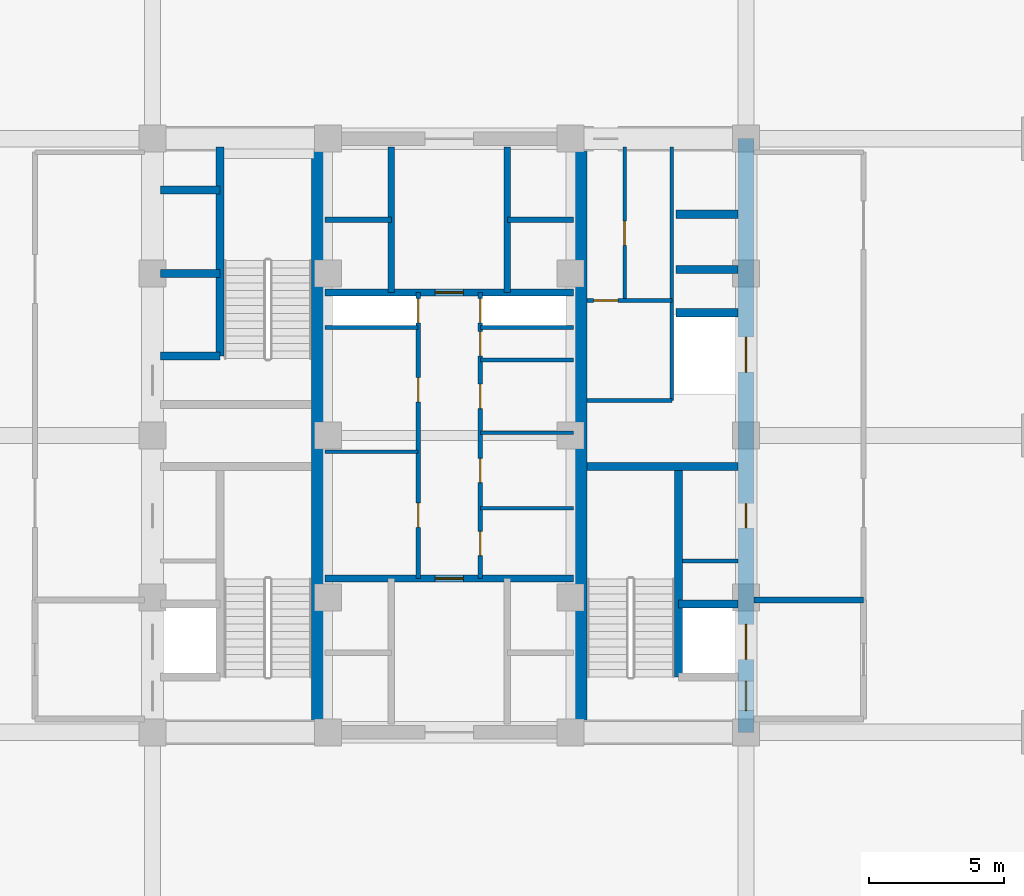
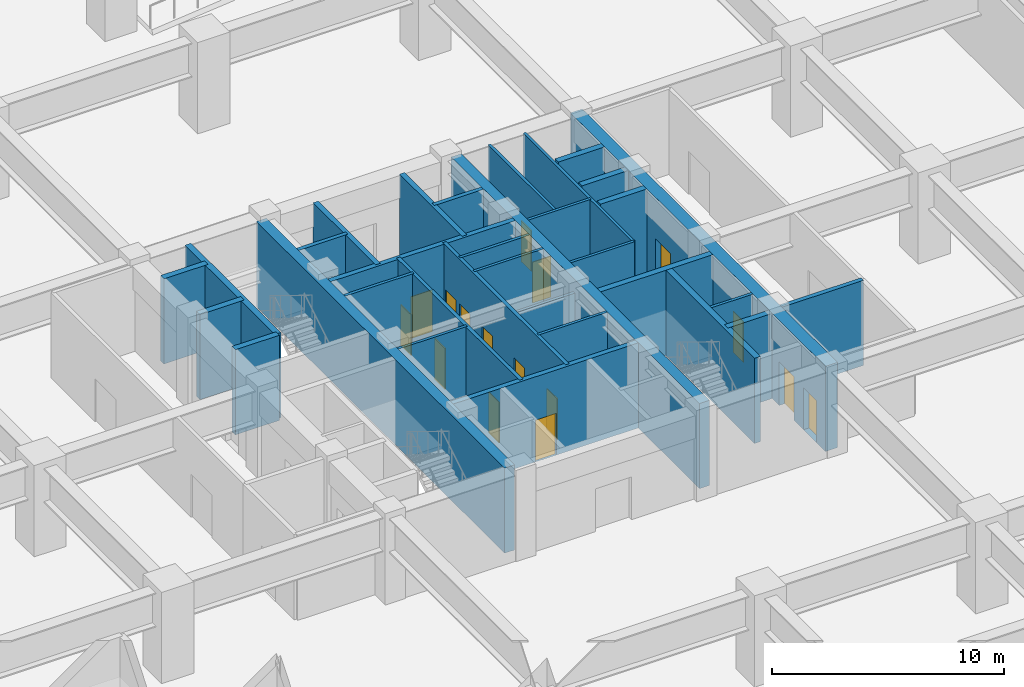
# One storey, part 6 of 13: 33 walls, 16 doors, 16 openings.
"""IFC4 building model written with IfcOpenShell, lengths in metres."""

import ifcopenshell
import ifcopenshell.guid

model = None  # the IFC model being written
_history = None  # IfcOwnerHistory: only IFC2X3 demands one
_inside = {}  # id of a spatial element -> (the spatial element, [elements in it])
_under = {}  # id of a project, library or spatial element -> (it, [spatial elements below it])
_declared = {}  # id of a project -> (the project, [libraries it declares])
_typed = {}  # id of a type object -> (the type object, [elements of that type])
_made_of = {}  # id of a material, layer set ... -> (it, [elements and type objects made of it])


def new_model(schema):
    """Start an empty IFC model of exactly this schema.

    Asked for "IFC4X3", IfcOpenShell would pick the latest addendum, in which some entities
    have other attributes; the version numbers below select the first issue.
    IFC2X3 requires an IfcOwnerHistory on every rooted entity: one is made here for all.
    """
    global model, _history
    if schema == "IFC4X3":
        model = ifcopenshell.file(schema_version=(4, 3, 0, 0))
    else:
        model = ifcopenshell.file(schema=schema)
    _inside.clear()
    _under.clear()
    _declared.clear()
    _typed.clear()
    _made_of.clear()
    _history = None
    if model.schema == "IFC2X3":
        org = make("IfcOrganization", Name="unknown")
        user = make(
            "IfcPersonAndOrganization",
            ThePerson=make("IfcPerson", FamilyName="unknown"),
            TheOrganization=org,
        )
        app = make(
            "IfcApplication",
            ApplicationDeveloper=org,
            Version="unknown",
            ApplicationFullName="unknown",
            ApplicationIdentifier="unknown",
        )
        _history = make(
            "IfcOwnerHistory",
            OwningUser=user,
            OwningApplication=app,
            ChangeAction="ADDED",
            CreationDate=0,
        )
    return model


def make(cls, **values):
    """One entity of the class cls with the attributes given. An attribute that is None is left unset."""
    return model.create_entity(
        cls, **{name: value for name, value in values.items() if value is not None}
    )


def rooted(cls, **values):
    """An entity with a GlobalId (a new one), such as an element, a storey or a relation."""
    return make(cls, GlobalId=ifcopenshell.guid.new(), OwnerHistory=_history, **values)


def si_unit(unit_type, name, prefix=None):
    """IfcSIUnit, for example si_unit("LENGTHUNIT", "METRE", prefix="MILLI")."""
    return make("IfcSIUnit", UnitType=unit_type, Prefix=prefix, Name=name)


def assignment(units):
    """IfcUnitAssignment: the units of a project."""
    return None if units is None else make("IfcUnitAssignment", Units=units)


def point(xyz):
    """IfcCartesianPoint."""
    return None if xyz is None else make("IfcCartesianPoint", Coordinates=xyz)


def direction(xyz):
    """IfcDirection."""
    return None if xyz is None else make("IfcDirection", DirectionRatios=xyz)


def frame(location, z_axis=None, x_axis=None):
    """IfcAxis2Placement3D, a coordinate frame: its origin and axes. An axis left out is left unset."""
    return make(
        "IfcAxis2Placement3D",
        Location=point(location),
        Axis=direction(z_axis),
        RefDirection=direction(x_axis),
    )


def frame_2d(location, x_axis=None):
    """IfcAxis2Placement2D, a coordinate frame in the plane: its origin and x axis."""
    return make(
        "IfcAxis2Placement2D", Location=point(location), RefDirection=direction(x_axis)
    )


def origin():
    """The frame at (0, 0, 0) with its axes left unset."""
    return frame((0.0, 0.0, 0.0))


def place(relative_to, where):
    """IfcLocalPlacement: puts the frame where relative to a parent placement (None: the world)."""
    return make(
        "IfcLocalPlacement", PlacementRelTo=relative_to, RelativePlacement=where
    )


def context(
    kind, dimensions, precision=None, world=None, true_north=None, identifier=None
):
    """IfcGeometricRepresentationContext, for example the 3D "Model" context."""
    return make(
        "IfcGeometricRepresentationContext",
        ContextIdentifier=identifier,
        ContextType=kind,
        CoordinateSpaceDimension=dimensions,
        Precision=precision,
        WorldCoordinateSystem=world,
        TrueNorth=true_north,
    )


def subcontext(parent, identifier, kind, view, scale=None):
    """IfcGeometricRepresentationSubContext, for example "Body" below "Model"."""
    return make(
        "IfcGeometricRepresentationSubContext",
        ContextIdentifier=identifier,
        ContextType=kind,
        ParentContext=parent,
        TargetScale=scale,
        TargetView=view,
    )


def project(units=None, contexts=None):
    """IfcProject with its units and contexts."""
    return rooted(
        "IfcProject",
        Name="project",
        RepresentationContexts=contexts,
        UnitsInContext=assignment(units),
    )


def spatial(cls, under=None, at=None, **own):
    """A site, building, storey or space (cls), placed at a placement, below another one or the project."""
    s = rooted(cls, ObjectPlacement=at, **own)
    if under is not None:
        _under.setdefault(under.id(), (under, []))[1].append(s)
    return s


def profile(cls, at=None, kind="AREA", **sizes):
    """A parametric profile (cls). Its sizes go by their IFC names, for example OverallWidth=200.0."""
    return make(cls, ProfileType=kind, Position=at, **sizes)


def rectangle(**sizes):
    """IfcRectangleProfileDef."""
    return profile("IfcRectangleProfileDef", **sizes)


def extrude(swept, where, along, depth):
    """IfcExtrudedAreaSolid: the profile swept, set in the frame where, extruded along a direction by depth."""
    return make(
        "IfcExtrudedAreaSolid",
        SweptArea=swept,
        Position=where,
        ExtrudedDirection=direction(along),
        Depth=depth,
    )


def shape(context_of_items, identifier, shape_type, items):
    """IfcShapeRepresentation: the items that make up one representation, for example the "Body"."""
    return make(
        "IfcShapeRepresentation",
        ContextOfItems=context_of_items,
        RepresentationIdentifier=identifier,
        RepresentationType=shape_type,
        Items=items,
    )


def source(mapping_origin, context_of_items, identifier, shape_type, items):
    """IfcRepresentationMap: a shape defined once, which mapped items show again and again."""
    return make(
        "IfcRepresentationMap",
        MappingOrigin=mapping_origin,
        MappedRepresentation=shape(context_of_items, identifier, shape_type, items),
    )


def transform(
    local_origin,
    x_axis=None,
    y_axis=None,
    z_axis=None,
    scale=None,
    scale2=None,
    scale3=None,
    uniform=True,
):
    """IfcCartesianTransformationOperator3D, or its non-uniform kind. x_axis, y_axis, z_axis: its Axis1, 2, 3."""
    if uniform:
        return make(
            "IfcCartesianTransformationOperator3D",
            Axis1=direction(x_axis),
            Axis2=direction(y_axis),
            LocalOrigin=point(local_origin),
            Scale=scale,
            Axis3=direction(z_axis),
        )
    return make(
        "IfcCartesianTransformationOperator3DnonUniform",
        Axis1=direction(x_axis),
        Axis2=direction(y_axis),
        LocalOrigin=point(local_origin),
        Scale=scale,
        Axis3=direction(z_axis),
        Scale2=scale2,
        Scale3=scale3,
    )


def mapped(mapping_source, mapping_target):
    """IfcMappedItem: shows the shape of a source again, moved by a transform."""
    return make(
        "IfcMappedItem", MappingSource=mapping_source, MappingTarget=mapping_target
    )


def material(Name=None, Category=None):
    """IfcMaterial."""
    return make("IfcMaterial", Name=Name, Category=Category)


def layer(
    of_material, thickness, ventilated=None, Name=None, Category=None, Priority=None
):
    """IfcMaterialLayer: one layer of a wall or slab, of a material (None: an air gap)."""
    return make(
        "IfcMaterialLayer",
        Material=of_material,
        LayerThickness=thickness,
        IsVentilated=ventilated,
        Name=Name,
        Category=Category,
        Priority=Priority,
    )


def layer_set(layers, Name=None):
    """IfcMaterialLayerSet."""
    return make("IfcMaterialLayerSet", MaterialLayers=layers, LayerSetName=Name)


def made_of(thing, what):
    """Note that an element or type object is made of a material, layer set ...; save() writes the relation."""
    if what is not None:
        _made_of.setdefault(what.id(), (what, []))[1].append(thing)
    return thing


def type_object(cls, material=None, **own):
    """A type object (cls), such as IfcWallType, which elements share."""
    return made_of(rooted(cls, **own), material)


def element(
    cls,
    number,
    at=None,
    inside=None,
    cuts=None,
    type_object=None,
    material=None,
    context=None,
    identifier="Body",
    shape_type=None,
    held_by="IfcProductDefinitionShape",
    body=None,
    shapes=None,
    **own,
):
    """One element of the class cls, such as IfcWall. Its Tag is "e" and its number.

    at: its placement. inside: the storey or other place that contains it. cuts: it is an
    opening in that element (IfcRelVoidsElement). A single representation is given by context,
    identifier, shape_type and body (its items); several are given by shapes. held_by: the class
    of the entity that holds the representations. save() writes the other relations.
    """
    e = rooted(cls, Tag="e%d" % number, ObjectPlacement=at, **own)
    if body is not None:
        shapes = [shape(context, identifier, shape_type, body)]
    if shapes is not None:
        e.Representation = make(held_by, Representations=shapes)
    if inside is not None:
        _inside.setdefault(inside.id(), (inside, []))[1].append(e)
    if cuts is not None:
        rooted(
            "IfcRelVoidsElement", RelatingBuildingElement=cuts, RelatedOpeningElement=e
        )
    if type_object is not None:
        _typed.setdefault(type_object.id(), (type_object, []))[1].append(e)
    return made_of(e, material)


def fill(opening, filler):
    """IfcRelFillsElement: the door or window that sits in an opening."""
    return rooted(
        "IfcRelFillsElement",
        RelatingOpeningElement=opening,
        RelatedBuildingElement=filler,
    )


def aggregate(whole, parts):
    """IfcRelAggregates: a whole, such as a stair, and the parts it consists of."""
    return rooted("IfcRelAggregates", RelatingObject=whole, RelatedObjects=parts)


def save(model, path):
    """Write the relations noted so far, then the file.

    IfcRelAggregates (storeys below a building ...), IfcRelContainedInSpatialStructure (elements
    in a storey), IfcRelDefinesByType, IfcRelAssociatesMaterial and IfcRelDeclares: one each for
    every whole, place, type object, material and project.
    """
    for whole, parts in _under.values():
        aggregate(whole, parts)
    for where, things in _inside.values():
        rooted(
            "IfcRelContainedInSpatialStructure",
            RelatedElements=things,
            RelatingStructure=where,
        )
    for kind, things in _typed.values():
        rooted("IfcRelDefinesByType", RelatedObjects=things, RelatingType=kind)
    for what, things in _made_of.values():
        rooted("IfcRelAssociatesMaterial", RelatedObjects=things, RelatingMaterial=what)
    for by, libraries in _declared.values():
        rooted("IfcRelDeclares", RelatingContext=by, RelatedDefinitions=libraries)
    model.write(path)


model = new_model("IFC4")

# Units and contexts
model_context = context("Model", 3, precision=1e-05, world=origin(), true_north=direction((0.0, 1.0)))
body_context = subcontext(model_context, "Body", "Model", "MODEL_VIEW")
ifc_project = project(units=[si_unit("LENGTHUNIT", "METRE"), si_unit("AREAUNIT", "SQUARE_METRE"), si_unit("VOLUMEUNIT", "CUBIC_METRE"), si_unit("PLANEANGLEUNIT", "RADIAN"), si_unit("MASSUNIT", "GRAM", prefix="KILO")], contexts=[model_context])

# Site, building, storey
site_placement = place(None, origin())
site = spatial("IfcSite", under=ifc_project, at=site_placement, CompositionType="ELEMENT")
building_placement = place(site_placement, origin())
building = spatial("IfcBuilding", under=site, at=building_placement, Name="Khorayat Bourse Tower", CompositionType="ELEMENT")
storey_placement = place(building_placement, frame((0.0, 0.0, -4.800048828125)))
storey = spatial("IfcBuildingStorey", under=building, at=storey_placement, Name="B01", CompositionType="ELEMENT", Elevation=-4.800048828125)

# Wall, openings, doors
ifc_material_1 = material(Name="Concrete C60/75", Category="concrete")
ifc_layer_1 = layer(ifc_material_1, 0.60009765625)
ifc_layer_set_1 = layer_set([ifc_layer_1], Name="Concrete C60/75")
wall_type_1 = type_object("IfcWallType", Name="WAL-CORE-600", PredefinedType="SHEAR", material=ifc_layer_set_1)
shared_shape_1 = source(origin(), body_context, "Body", "SweptSolid", [
    extrude(rectangle(XDim=22.0, YDim=0.60009765625, at=frame_2d((11.0, 0.0))), origin(), (0.0, 0.0, 1.0), 4.47998046875),
])
wall_1_placement = place(storey_placement, frame((11.0, -11.0, 0.0), z_axis=(0.0, 0.0, 1.0), x_axis=(0.0, 1.0, 0.0)))
wall_1 = element("IfcWall", 1, at=wall_1_placement, inside=storey, type_object=wall_type_1, Name="B01 Core Shear Wall CORE-E", PredefinedType="SHEAR", context=body_context, shape_type="MappedRepresentation", body=[
    mapped(shared_shape_1, transform((0.0, 0.0, 0.0), scale=1.0)),
])
shared_shape_2 = source(origin(), body_context, "Body", "SweptSolid", [
    extrude(rectangle(XDim=1.10009765625, YDim=2.199951171875, at=frame_2d((0.550048828125, 1.10009765625))), frame((0.0, 0.31005859375, 0.0), z_axis=(0.0, -1.0, 0.0), x_axis=(1.0, 0.0, 0.0)), (0.0, 0.0, 1.0), 0.6201171875),
])
opening_1_placement = place(wall_1_placement, frame((0.800048828125, 0.0, 0.0)))
opening_1 = element("IfcOpeningElement", 2, at=opening_1_placement, cuts=wall_1, Name="Opening DI-01", PredefinedType="OPENING", context=body_context, shape_type="MappedRepresentation", body=[
    mapped(shared_shape_2, transform((0.0, 0.0, 0.0), scale=1.0)),
])
shared_shape_3 = source(origin(), body_context, "Body", "SweptSolid", [
    extrude(rectangle(XDim=0.89990234375, YDim=2.14990234375, at=frame_2d((0.449951171875, 1.074951171875))), frame((0.0, 0.31005859375, 0.0), z_axis=(0.0, -1.0, 0.0), x_axis=(1.0, 0.0, 0.0)), (0.0, 0.0, 1.0), 0.6201171875),
])
opening_2_placement = place(wall_1_placement, frame((7.574951171875, 0.0, 0.0)))
opening_2 = element("IfcOpeningElement", 3, at=opening_2_placement, cuts=wall_1, Name="Opening DI-06", PredefinedType="OPENING", context=body_context, shape_type="MappedRepresentation", body=[
    mapped(shared_shape_3, transform((0.0, 0.0, 0.0), scale=1.0)),
])
shared_shape_4 = source(origin(), body_context, "Body", "SweptSolid", [
    extrude(rectangle(XDim=1.300048828125, YDim=2.300048828125, at=frame_2d((0.64990234375, 1.14990234375))), frame((0.0, 0.31005859375, 0.0), z_axis=(0.0, -1.0, 0.0), x_axis=(1.0, 0.0, 0.0)), (0.0, 0.0, 1.0), 0.6201171875),
])
opening_3_placement = place(wall_1_placement, frame((2.699951171875, 0.0, 0.0)))
opening_3 = element("IfcOpeningElement", 4, at=opening_3_placement, cuts=wall_1, Name="Opening LD-02", PredefinedType="OPENING", context=body_context, shape_type="MappedRepresentation", body=[
    mapped(shared_shape_4, transform((0.0, 0.0, 0.0), scale=1.0)),
])
opening_4_placement = place(wall_1_placement, frame((13.35009765625, 0.0, 0.0)))
opening_4 = element("IfcOpeningElement", 5, at=opening_4_placement, cuts=wall_1, Name="Opening LD-02", PredefinedType="OPENING", context=body_context, shape_type="MappedRepresentation", body=[
    mapped(shared_shape_4, transform((0.0, 0.0, 0.0), scale=1.0)),
])
ifc_material_2 = material(Name="Fire-rated steel acoustic leaf", Category="steel")
door_type_1 = type_object("IfcDoorType", Name="DR-INT-STAIR-1100", OperationType="NOTDEFINED", PredefinedType="DOOR", material=ifc_material_2)
shared_shape_5 = source(origin(), body_context, "Body", "SweptSolid", [
    extrude(rectangle(XDim=1.10009765625, YDim=2.199951171875, at=frame_2d((0.550048828125, 1.10009765625))), frame((0.0, 0.02490234375, 0.0), z_axis=(0.0, -1.0, 0.0), x_axis=(1.0, 0.0, 0.0)), (0.0, 0.0, 1.0), 0.050048828125),
])
door_1_placement = place(opening_1_placement, origin())
door_1 = element("IfcDoor", 6, at=door_1_placement, inside=storey, type_object=door_type_1, Name="B01 Exit Stair 3 Door", OperationType="SINGLE_SWING_LEFT", OverallHeight=2.199951171875, OverallWidth=1.10009765625, PredefinedType="DOOR", context=body_context, shape_type="MappedRepresentation", body=[
    mapped(shared_shape_5, transform((0.0, 0.0, 0.0), scale=1.0)),
])
fill(opening_1, door_1)
ifc_material_3 = material(Name="Moisture-resistant laminate washroom door")
door_type_2 = type_object("IfcDoorType", Name="DR-INT-WC-900", OperationType="NOTDEFINED", PredefinedType="DOOR", material=ifc_material_3)
shared_shape_6 = source(origin(), body_context, "Body", "SweptSolid", [
    extrude(rectangle(XDim=0.89990234375, YDim=2.14990234375, at=frame_2d((0.449951171875, 1.074951171875))), frame((0.0, 0.02490234375, 0.0), z_axis=(0.0, -1.0, 0.0), x_axis=(1.0, 0.0, 0.0)), (0.0, 0.0, 1.0), 0.050048828125),
])
door_2_placement = place(opening_2_placement, origin())
door_2 = element("IfcDoor", 7, at=door_2_placement, inside=storey, type_object=door_type_2, Name="B01 Fiber Server Plant Room Door", OperationType="SINGLE_SWING_LEFT", OverallHeight=2.14990234375, OverallWidth=0.89990234375, PredefinedType="DOOR", context=body_context, shape_type="MappedRepresentation", body=[
    mapped(shared_shape_6, transform((0.0, 0.0, 0.0), scale=1.0)),
])
fill(opening_2, door_2)
ifc_material_4 = material(Name="Fire-rated stainless-steel sliding landing door", Category="steel")
door_type_3 = type_object("IfcDoorType", Name="DR-LIFT-FF-1300", OperationType="NOTDEFINED", PredefinedType="DOOR", material=ifc_material_4)
shared_shape_7 = source(origin(), body_context, "Body", "SweptSolid", [
    extrude(rectangle(XDim=1.300048828125, YDim=2.300048828125, at=frame_2d((0.64990234375, 1.14990234375))), frame((0.0, 0.02490234375, 0.0), z_axis=(0.0, -1.0, 0.0), x_axis=(1.0, 0.0, 0.0)), (0.0, 0.0, 1.0), 0.050048828125),
])
door_3_placement = place(opening_3_placement, origin())
door_3 = element("IfcDoor", 8, at=door_3_placement, inside=storey, type_object=door_type_3, Name="B01 Lift FFL-02 Sliding Landing Door", OperationType="SLIDING_TO_LEFT", OverallHeight=2.300048828125, OverallWidth=1.300048828125, PredefinedType="DOOR", context=body_context, shape_type="MappedRepresentation", body=[
    mapped(shared_shape_7, transform((0.0, 0.0, 0.0), scale=1.0)),
])
fill(opening_3, door_3)
door_4_placement = place(opening_4_placement, origin())
door_4 = element("IfcDoor", 9, at=door_4_placement, inside=storey, type_object=door_type_3, Name="B01 Lift SVL-01 Sliding Landing Door", OperationType="SLIDING_TO_LEFT", OverallHeight=2.300048828125, OverallWidth=1.300048828125, PredefinedType="DOOR", context=body_context, shape_type="MappedRepresentation", body=[
    mapped(shared_shape_7, transform((0.0, 0.0, 0.0), scale=1.0)),
])
fill(opening_4, door_4)

# Walls
ifc_material_5 = material(Name="Concrete C52/65", Category="concrete")
ifc_layer_2 = layer(ifc_material_5, 0.5)
ifc_layer_set_2 = layer_set([ifc_layer_2], Name="Concrete C52/65")
wall_type_2 = type_object("IfcWallType", Name="WAL-CORE-500", PredefinedType="SHEAR", material=ifc_layer_set_2)
shared_shape_8 = source(origin(), body_context, "Body", "SweptSolid", [
    extrude(rectangle(XDim=21.39990234375, YDim=0.5, at=frame_2d((10.699951171875, 0.0))), origin(), (0.0, 0.0, 1.0), 4.47998046875),
])
for number, where, z_axis, x_axis, name in (
    (10, (-4.85009765625, -10.699951171875, 0.0), (0.0, 0.0, 1.0), (0.0, 1.0, 0.0), "B01 Core Shear Wall PIER-W"),
    (11, (4.85009765625, -10.699951171875, 0.0), (0.0, 0.0, 1.0), (0.0, 1.0, 0.0), "B01 Core Shear Wall PIER-E"),
):
    element("IfcWall", number, at=place(storey_placement, frame(where, z_axis=z_axis, x_axis=x_axis)), inside=storey, type_object=wall_type_2, Name=name, PredefinedType="SHEAR", context=body_context, shape_type="MappedRepresentation", body=[
        mapped(shared_shape_8, transform((0.0, 0.0, 0.0), scale=1.0)),
    ])
ifc_material_6 = material(Name="Concrete C50/60", Category="concrete")
ifc_layer_3 = layer(ifc_material_6, 0.300048828125)
ifc_layer_set_3 = layer_set([ifc_layer_3], Name="Concrete C50/60")
wall_type_3 = type_object("IfcWallType", Name="WAL-SHAFT-300", PredefinedType="SHEAR", material=ifc_layer_set_3)
shared_shape_9 = source(origin(), body_context, "Body", "SweptSolid", [
    extrude(rectangle(XDim=5.599853515625, YDim=0.300048828125, at=frame_2d((2.7998046875, 0.0))), origin(), (0.0, 0.0, 1.0), 4.47998046875),
])
wall_2_placement = place(storey_placement, frame((5.10009765625, -1.14990234375, 0.0), z_axis=(0.0, 0.0, 1.0), x_axis=(1.0, 0.0, 0.0)))
element("IfcWall", 12, at=wall_2_placement, inside=storey, type_object=wall_type_3, Name="B01 Core Shear Wall ST3-DIV", PredefinedType="SHEAR", context=body_context, shape_type="MappedRepresentation", body=[
    mapped(shared_shape_9, transform((0.0, 0.0, 0.0), scale=1.0)),
])
shared_shape_10 = source(origin(), body_context, "Body", "SweptSolid", [
    extrude(rectangle(XDim=7.800048828125, YDim=0.300048828125, at=frame_2d((3.89990234375, 0.0))), origin(), (0.0, 0.0, 1.0), 4.47998046875),
])
wall_3_placement = place(storey_placement, frame((8.5, -8.949951171875, 0.0), z_axis=(0.0, 0.0, 1.0), x_axis=(0.0, 1.0, 0.0)))
element("IfcWall", 13, at=wall_3_placement, inside=storey, type_object=wall_type_3, Name="B01 Partition WAL-B01-EPIER-SP", PredefinedType="SHEAR", context=body_context, shape_type="MappedRepresentation", body=[
    mapped(shared_shape_10, transform((0.0, 0.0, 0.0), scale=1.0)),
])
shared_shape_11 = source(origin(), body_context, "Body", "SweptSolid", [
    extrude(rectangle(XDim=2.199951171875, YDim=0.300048828125, at=frame_2d((1.10009765625, 0.0))), origin(), (0.0, 0.0, 1.0), 4.47998046875),
])
for number, where, z_axis, x_axis, name in (
    (14, (-10.699951171875, 2.949951171875, 0.0), (0.0, 0.0, 1.0), (1.0, 0.0, 0.0), "B01 Partition WAL-B01-WPIER-H1S"),
    (15, (-10.699951171875, 6.0, 0.0), (0.0, 0.0, 1.0), (1.0, 0.0, 0.0), "B01 Partition WAL-B01-WPIER-H12"),
    (16, (-10.699951171875, 9.10009765625, 0.0), (0.0, 0.0, 1.0), (1.0, 0.0, 0.0), "B01 Partition WAL-B01-WPIER-H2N"),
    (17, (8.5, -6.25, 0.0), (0.0, 0.0, 1.0), (1.0, 0.0, 0.0), "B01 Partition WAL-B01-EPIER-FF2N"),
):
    element("IfcWall", number, at=place(storey_placement, frame(where, z_axis=z_axis, x_axis=x_axis)), inside=storey, type_object=wall_type_3, Name=name, PredefinedType="SHEAR", context=body_context, shape_type="MappedRepresentation", body=[
        mapped(shared_shape_11, transform((0.0, 0.0, 0.0), scale=1.0)),
    ])
shared_shape_12 = source(origin(), body_context, "Body", "SweptSolid", [
    extrude(rectangle(XDim=7.75, YDim=0.300048828125, at=frame_2d((3.875, 0.0))), origin(), (0.0, 0.0, 1.0), 4.47998046875),
])
wall_4_placement = place(storey_placement, frame((-8.5, 2.949951171875, 0.0), z_axis=(0.0, 0.0, 1.0), x_axis=(0.0, 1.0, 0.0)))
element("IfcWall", 18, at=wall_4_placement, inside=storey, type_object=wall_type_3, Name="B01 Partition WAL-B01-WPIER-ST2S", PredefinedType="SHEAR", context=body_context, shape_type="MappedRepresentation", body=[
    mapped(shared_shape_12, transform((0.0, 0.0, 0.0), scale=1.0)),
])
shared_shape_13 = source(origin(), body_context, "Body", "SweptSolid", [
    extrude(rectangle(XDim=2.300048828125, YDim=0.300048828125, at=frame_2d((1.14990234375, 0.0))), origin(), (0.0, 0.0, 1.0), 4.47998046875),
])
for number, where, z_axis, x_axis, name in (
    (19, (8.39990234375, 4.550048828125, 0.0), (0.0, 0.0, 1.0), (1.0, 0.0, 0.0), "B01 Partition WAL-B01-EPIER-SVLN"),
    (20, (8.39990234375, 6.14990234375, 0.0), (0.0, 0.0, 1.0), (1.0, 0.0, 0.0), "B01 Partition WAL-B01-EPIER-H3S"),
    (21, (8.39990234375, 8.199951171875, 0.0), (0.0, 0.0, 1.0), (1.0, 0.0, 0.0), "B01 Partition WAL-B01-EPIER-H34"),
):
    element("IfcWall", number, at=place(storey_placement, frame(where, z_axis=z_axis, x_axis=x_axis)), inside=storey, type_object=wall_type_3, Name=name, PredefinedType="SHEAR", context=body_context, shape_type="MappedRepresentation", body=[
        mapped(shared_shape_13, transform((0.0, 0.0, 0.0), scale=1.0)),
    ])
ifc_material_7 = material(Name="Gypsum plasterboard twin-frame partition")
ifc_layer_4 = layer(ifc_material_7, 0.14990234375)
ifc_layer_set_4 = layer_set([ifc_layer_4], Name="Gypsum plasterboard twin-frame partition")
wall_type_4 = type_object("IfcWallType", Name="WAL-PART-SUITE-150", PredefinedType="PARTITIONING", material=ifc_layer_set_4)
shared_shape_14 = source(origin(), body_context, "Body", "SweptSolid", [
    extrude(rectangle(XDim=2.050048828125, YDim=0.14990234375, at=frame_2d((1.02490234375, 0.0))), origin(), (0.0, 0.0, 1.0), 4.47998046875),
])
wall_5_placement = place(storey_placement, frame((8.64990234375, -4.64990234375, 0.0), z_axis=(0.0, 0.0, 1.0), x_axis=(1.0, 0.0, 0.0)))
element("IfcWall", 22, at=wall_5_placement, inside=storey, type_object=wall_type_4, Name="B01 Partition WAL-B01-ESRV-S0", PredefinedType="PARTITIONING", context=body_context, shape_type="MappedRepresentation", body=[
    mapped(shared_shape_14, transform((0.0, 0.0, 0.0), scale=1.0)),
])
ifc_material_8 = material(Name="Moisture-resistant masonry partition", Category="masonry")
ifc_layer_5 = layer(ifc_material_8, 0.139892578125)
ifc_layer_set_5 = layer_set([ifc_layer_5], Name="Moisture-resistant masonry partition")
wall_type_5 = type_object("IfcWallType", Name="WAL-PART-WET-140", PredefinedType="PARTITIONING", material=ifc_layer_set_5)
shared_shape_15 = source(origin(), body_context, "Body", "SweptSolid", [
    extrude(rectangle(XDim=9.39990234375, YDim=0.139892578125, at=frame_2d((4.699951171875, 0.0))), origin(), (0.0, 0.0, 1.0), 4.47998046875),
])
wall_6_placement = place(storey_placement, frame((8.25, 1.300048828125, 0.0), z_axis=(0.0, 0.0, 1.0), x_axis=(0.0, 1.0, 0.0)))
element("IfcWall", 23, at=wall_6_placement, inside=storey, type_object=wall_type_5, Name="B01 Partition WAL-B01-ECORE-E", PredefinedType="PARTITIONING", context=body_context, shape_type="MappedRepresentation", body=[
    mapped(shared_shape_15, transform((0.0, 0.0, 0.0), scale=1.0)),
])
shared_shape_16 = source(origin(), body_context, "Body", "SweptSolid", [
    extrude(rectangle(XDim=3.14990234375, YDim=0.139892578125, at=frame_2d((1.574951171875, 0.0))), origin(), (0.0, 0.0, 1.0), 4.47998046875),
])
wall_7_placement = place(storey_placement, frame((5.10009765625, 1.300048828125, 0.0), z_axis=(0.0, 0.0, 1.0), x_axis=(1.0, 0.0, 0.0)))
element("IfcWall", 24, at=wall_7_placement, inside=storey, type_object=wall_type_5, Name="B01 Partition WAL-B01-ECORE-S", PredefinedType="PARTITIONING", context=body_context, shape_type="MappedRepresentation", body=[
    mapped(shared_shape_16, transform((0.0, 0.0, 0.0), scale=1.0)),
])

# Wall, opening, door
wall_8_placement = place(storey_placement, frame((5.10009765625, 5.0, 0.0), z_axis=(0.0, 0.0, 1.0), x_axis=(1.0, 0.0, 0.0)))
wall_8 = element("IfcWall", 25, at=wall_8_placement, inside=storey, type_object=wall_type_5, Name="B01 Partition WAL-B01-ECW-BOT", PredefinedType="PARTITIONING", context=body_context, shape_type="MappedRepresentation", body=[
    mapped(shared_shape_16, transform((0.0, 0.0, 0.0), scale=1.0)),
])
shared_shape_17 = source(origin(), body_context, "Body", "SweptSolid", [
    extrude(rectangle(XDim=0.89990234375, YDim=2.14990234375, at=frame_2d((0.449951171875, 1.074951171875))), frame((0.0, 0.079833984375, 0.0), z_axis=(0.0, -1.0, 0.0), x_axis=(1.0, 0.0, 0.0)), (0.0, 0.0, 1.0), 0.159912109375),
])
opening_5_placement = place(wall_8_placement, frame((0.25, 0.0, 0.0)))
opening_5 = element("IfcOpeningElement", 26, at=opening_5_placement, cuts=wall_8, Name="Opening DI-06", PredefinedType="OPENING", context=body_context, shape_type="MappedRepresentation", body=[
    mapped(shared_shape_17, transform((0.0, 0.0, 0.0), scale=1.0)),
])
door_5_placement = place(opening_5_placement, origin())
door_5 = element("IfcDoor", 27, at=door_5_placement, inside=storey, type_object=door_type_2, Name="B01 Shared Washroom Door", OperationType="SINGLE_SWING_LEFT", OverallHeight=2.14990234375, OverallWidth=0.89990234375, PredefinedType="DOOR", context=body_context, shape_type="MappedRepresentation", body=[
    mapped(shared_shape_6, transform((0.0, 0.0, 0.0), scale=1.0)),
])
fill(opening_5, door_5)

# Walls
ifc_material_9 = material(Name="Aerated concrete blockwork", Category="masonry")
ifc_layer_6 = layer(ifc_material_9, 0.219970703125)
ifc_layer_set_6 = layer_set([ifc_layer_6], Name="Aerated concrete blockwork")
wall_type_6 = type_object("IfcWallType", Name="WAL-PART-FF-220", PredefinedType="PARTITIONING", material=ifc_layer_set_6)
shared_shape_18 = source(origin(), body_context, "Body", "SweptSolid", [
    extrude(rectangle(XDim=4.050048828125, YDim=0.219970703125, at=frame_2d((2.02490234375, 0.0))), origin(), (0.0, 0.0, 1.0), 4.47998046875),
])
wall_9_placement = place(storey_placement, frame((11.300048828125, -6.10009765625, 0.0), z_axis=(0.0, 0.0, 1.0), x_axis=(1.0, 0.0, 0.0)))
element("IfcWall", 28, at=wall_9_placement, inside=storey, type_object=wall_type_6, Name="B01 Partition WAL-B01-FFLE-N", PredefinedType="PARTITIONING", context=body_context, shape_type="MappedRepresentation", body=[
    mapped(shared_shape_18, transform((0.0, 0.0, 0.0), scale=1.0)),
])
shared_shape_19 = source(origin(), body_context, "Body", "SweptSolid", [
    extrude(rectangle(XDim=3.4501953125, YDim=0.14990234375, at=frame_2d((1.72509765625, 0.0))), origin(), (0.0, 0.0, 1.0), 4.47998046875),
])
for number, where, z_axis, x_axis, name in (
    (29, (-4.60009765625, 4.0, 0.0), (0.0, 0.0, 1.0), (1.0, 0.0, 0.0), "B01 Partition WAL-B01-CRSW-S"),
    (30, (1.14990234375, 4.0, 0.0), (0.0, 0.0, 1.0), (1.0, 0.0, 0.0), "B01 Partition WAL-B01-CRSE-S"),
):
    element("IfcWall", number, at=place(storey_placement, frame(where, z_axis=z_axis, x_axis=x_axis)), inside=storey, type_object=wall_type_4, Name=name, PredefinedType="PARTITIONING", context=body_context, shape_type="MappedRepresentation", body=[
        mapped(shared_shape_19, transform((0.0, 0.0, 0.0), scale=1.0)),
    ])
shared_shape_20 = source(origin(), body_context, "Body", "SweptSolid", [
    extrude(rectangle(XDim=5.39990234375, YDim=0.25, at=frame_2d((2.699951171875, 0.0))), origin(), (0.0, 0.0, 1.0), 4.47998046875),
])
for number, where, z_axis, x_axis, name in (
    (31, (-2.14990234375, 5.300048828125, 0.0), (0.0, 0.0, 1.0), (0.0, 1.0, 0.0), "B01 Partition WAL-B01-B2-W"),
    (32, (2.14990234375, 5.300048828125, 0.0), (0.0, 0.0, 1.0), (0.0, 1.0, 0.0), "B01 Partition WAL-B01-B2-E"),
):
    element("IfcWall", number, at=place(storey_placement, frame(where, z_axis=z_axis, x_axis=x_axis)), inside=storey, type_object=wall_type_3, Name=name, PredefinedType="SHEAR", context=body_context, shape_type="MappedRepresentation", body=[
        mapped(shared_shape_20, transform((0.0, 0.0, 0.0), scale=1.0)),
    ])
shared_shape_21 = source(origin(), body_context, "Body", "SweptSolid", [
    extrude(rectangle(XDim=2.4501953125, YDim=0.199951171875, at=frame_2d((1.22509765625, 0.0))), origin(), (0.0, 0.0, 1.0), 4.47998046875),
])
for number, where, z_axis, x_axis, name in (
    (33, (-4.60009765625, 8.0, 0.0), (0.0, 0.0, 1.0), (1.0, 0.0, 0.0), "B01 Partition WAL-B01-B2-MW"),
    (34, (2.14990234375, 8.0, 0.0), (0.0, 0.0, 1.0), (1.0, 0.0, 0.0), "B01 Partition WAL-B01-B2-ME"),
):
    element("IfcWall", number, at=place(storey_placement, frame(where, z_axis=z_axis, x_axis=x_axis)), inside=storey, type_object=wall_type_3, Name=name, PredefinedType="SHEAR", context=body_context, shape_type="MappedRepresentation", body=[
        mapped(shared_shape_21, transform((0.0, 0.0, 0.0), scale=1.0)),
    ])

# Wall, opening, door
shared_shape_22 = source(origin(), body_context, "Body", "SweptSolid", [
    extrude(rectangle(XDim=9.2001953125, YDim=0.25, at=frame_2d((4.60009765625, 0.0))), origin(), (0.0, 0.0, 1.0), 4.47998046875),
])
wall_10_placement = place(storey_placement, frame((-4.60009765625, -5.300048828125, 0.0), z_axis=(0.0, 0.0, 1.0), x_axis=(1.0, 0.0, 0.0)))
wall_10 = element("IfcWall", 35, at=wall_10_placement, inside=storey, type_object=wall_type_3, Name="B01 Partition WAL-B01-B1-N", PredefinedType="SHEAR", context=body_context, shape_type="MappedRepresentation", body=[
    mapped(shared_shape_22, transform((0.0, 0.0, 0.0), scale=1.0)),
])
shared_shape_23 = source(origin(), body_context, "Body", "SweptSolid", [
    extrude(rectangle(XDim=1.050048828125, YDim=2.199951171875, at=frame_2d((0.52490234375, 1.10009765625))), frame((0.0, 0.135009765625, 0.0), z_axis=(0.0, -1.0, 0.0), x_axis=(1.0, 0.0, 0.0)), (0.0, 0.0, 1.0), 0.27001953125),
])
opening_6_placement = place(wall_10_placement, frame((4.074951171875, 0.0, 0.0)))
opening_6 = element("IfcOpeningElement", 36, at=opening_6_placement, cuts=wall_10, Name="Opening DI-04", PredefinedType="OPENING", context=body_context, shape_type="MappedRepresentation", body=[
    mapped(shared_shape_23, transform((0.0, 0.0, 0.0), scale=1.0)),
])
ifc_material_10 = material(Name="Fire-rated oak veneer suite entrance door")
door_type_4 = type_object("IfcDoorType", Name="DR-INT-SUITE-1050", OperationType="NOTDEFINED", PredefinedType="DOOR", material=ifc_material_10)
shared_shape_24 = source(origin(), body_context, "Body", "SweptSolid", [
    extrude(rectangle(XDim=1.050048828125, YDim=2.199951171875, at=frame_2d((0.52490234375, 1.10009765625))), frame((0.0, 0.02490234375, 0.0), z_axis=(0.0, -1.0, 0.0), x_axis=(1.0, 0.0, 0.0)), (0.0, 0.0, 1.0), 0.050048828125),
])
door_6_placement = place(opening_6_placement, origin())
door_6 = element("IfcDoor", 37, at=door_6_placement, inside=storey, type_object=door_type_4, Name="B01 Core Spine South Door", OperationType="SINGLE_SWING_LEFT", OverallHeight=2.199951171875, OverallWidth=1.050048828125, PredefinedType="DOOR", context=body_context, shape_type="MappedRepresentation", body=[
    mapped(shared_shape_24, transform((0.0, 0.0, 0.0), scale=1.0)),
])
fill(opening_6, door_6)

wall_11_placement = place(storey_placement, frame((-4.60009765625, 5.300048828125, 0.0), z_axis=(0.0, 0.0, 1.0), x_axis=(1.0, 0.0, 0.0)))
wall_11 = element("IfcWall", 38, at=wall_11_placement, inside=storey, type_object=wall_type_3, Name="B01 Partition WAL-B01-B2-S", PredefinedType="SHEAR", context=body_context, shape_type="MappedRepresentation", body=[
    mapped(shared_shape_22, transform((0.0, 0.0, 0.0), scale=1.0)),
])
opening_7_placement = place(wall_11_placement, frame((4.074951171875, 0.0, 0.0)))
opening_7 = element("IfcOpeningElement", 39, at=opening_7_placement, cuts=wall_11, Name="Opening DI-04", PredefinedType="OPENING", context=body_context, shape_type="MappedRepresentation", body=[
    mapped(shared_shape_23, transform((0.0, 0.0, 0.0), scale=1.0)),
])
door_7_placement = place(opening_7_placement, origin())
door_7 = element("IfcDoor", 40, at=door_7_placement, inside=storey, type_object=door_type_4, Name="B01 Core Spine North Door", OperationType="SINGLE_SWING_RIGHT", OverallHeight=2.199951171875, OverallWidth=1.050048828125, PredefinedType="DOOR", context=body_context, shape_type="MappedRepresentation", body=[
    mapped(shared_shape_24, transform((0.0, 0.0, 0.0), scale=1.0)),
])
fill(opening_7, door_7)

# Walls
shared_shape_25 = source(origin(), body_context, "Body", "SweptSolid", [
    extrude(rectangle(XDim=3.4501953125, YDim=0.139892578125, at=frame_2d((1.72509765625, 0.0))), origin(), (0.0, 0.0, 1.0), 4.47998046875),
])
for number, where, z_axis, x_axis, name in (
    (41, (-4.60009765625, -0.60009765625, 0.0), (0.0, 0.0, 1.0), (1.0, 0.0, 0.0), "B01 Partition WAL-B01-CMW-D1"),
    (42, (1.14990234375, -2.699951171875, 0.0), (0.0, 0.0, 1.0), (1.0, 0.0, 0.0), "B01 Partition WAL-B01-CME-D1"),
    (43, (1.14990234375, 2.800048828125, 0.0), (0.0, 0.0, 1.0), (1.0, 0.0, 0.0), "B01 Partition WAL-B01-CME-D3"),
):
    element("IfcWall", number, at=place(storey_placement, frame(where, z_axis=z_axis, x_axis=x_axis)), inside=storey, type_object=wall_type_5, Name=name, PredefinedType="PARTITIONING", context=body_context, shape_type="MappedRepresentation", body=[
        mapped(shared_shape_25, transform((0.0, 0.0, 0.0), scale=1.0)),
    ])
shared_shape_26 = source(origin(), body_context, "Body", "SweptSolid", [
    extrude(rectangle(XDim=3.4501953125, YDim=0.139892578125, at=frame_2d((1.72509765625, 0.0))), origin(), (0.0, 0.0, 1.0), 3.78515625),
])
wall_12_placement = place(storey_placement, frame((1.14990234375, 0.10009765625, 0.0), z_axis=(0.0, 0.0, 1.0), x_axis=(1.0, 0.0, 0.0)))
element("IfcWall", 44, at=wall_12_placement, inside=storey, type_object=wall_type_5, Name="B01 Partition WAL-B01-CME-D2", PredefinedType="PARTITIONING", context=body_context, shape_type="MappedRepresentation", body=[
    mapped(shared_shape_26, transform((0.0, 0.0, 0.0), scale=1.0)),
])

# Wall, openings, doors
ifc_material_11 = material(Name="Gypsum plasterboard acoustic stud wall")
ifc_layer_7 = layer(ifc_material_11, 0.179931640625)
ifc_layer_set_7 = layer_set([ifc_layer_7], Name="Gypsum plasterboard acoustic stud wall")
wall_type_7 = type_object("IfcWallType", Name="WAL-PART-CORR-180", PredefinedType="PARTITIONING", material=ifc_layer_set_7)
shared_shape_27 = source(origin(), body_context, "Body", "SweptSolid", [
    extrude(rectangle(XDim=10.60009765625, YDim=0.179931640625, at=frame_2d((5.300048828125, 0.0))), origin(), (0.0, 0.0, 1.0), 4.47998046875),
])
wall_13_placement = place(storey_placement, frame((-1.14990234375, -5.300048828125, 0.0), z_axis=(0.0, 0.0, 1.0), x_axis=(0.0, 1.0, 0.0)))
wall_13 = element("IfcWall", 45, at=wall_13_placement, inside=storey, type_object=wall_type_7, Name="B01 Partition WAL-B01-CMW-L", PredefinedType="PARTITIONING", context=body_context, shape_type="MappedRepresentation", body=[
    mapped(shared_shape_27, transform((0.0, 0.0, 0.0), scale=1.0)),
])
shared_shape_28 = source(origin(), body_context, "Body", "SweptSolid", [
    extrude(rectangle(XDim=0.89990234375, YDim=2.14990234375, at=frame_2d((0.449951171875, 1.074951171875))), frame((0.0, 0.099853515625, 0.0), z_axis=(0.0, -1.0, 0.0), x_axis=(1.0, 0.0, 0.0)), (0.0, 0.0, 1.0), 0.199951171875),
])
opening_8_placement = place(wall_13_placement, frame((1.89990234375, 0.0, 0.0)))
opening_8 = element("IfcOpeningElement", 46, at=opening_8_placement, cuts=wall_13, Name="Opening DI-06", PredefinedType="OPENING", context=body_context, shape_type="MappedRepresentation", body=[
    mapped(shared_shape_28, transform((0.0, 0.0, 0.0), scale=1.0)),
])
opening_9_placement = place(wall_13_placement, frame((6.550048828125, 0.0, 0.0)))
opening_9 = element("IfcOpeningElement", 47, at=opening_9_placement, cuts=wall_13, Name="Opening DI-06", PredefinedType="OPENING", context=body_context, shape_type="MappedRepresentation", body=[
    mapped(shared_shape_28, transform((0.0, 0.0, 0.0), scale=1.0)),
])
opening_10_placement = place(wall_13_placement, frame((9.47509765625, 0.0, 0.0)))
opening_10 = element("IfcOpeningElement", 48, at=opening_10_placement, cuts=wall_13, Name="Opening DI-06", PredefinedType="OPENING", context=body_context, shape_type="MappedRepresentation", body=[
    mapped(shared_shape_28, transform((0.0, 0.0, 0.0), scale=1.0)),
])
door_8_placement = place(opening_8_placement, origin())
door_8 = element("IfcDoor", 49, at=door_8_placement, inside=storey, type_object=door_type_2, Name="B01 Male Core Washroom Door", OperationType="SINGLE_SWING_RIGHT", OverallHeight=2.14990234375, OverallWidth=0.89990234375, PredefinedType="DOOR", context=body_context, shape_type="MappedRepresentation", body=[
    mapped(shared_shape_6, transform((0.0, 0.0, 0.0), scale=1.0)),
])
fill(opening_8, door_8)
door_9_placement = place(opening_9_placement, origin())
door_9 = element("IfcDoor", 50, at=door_9_placement, inside=storey, type_object=door_type_2, Name="B01 Chilled Water Riser Plant Room Door", OperationType="SINGLE_SWING_LEFT", OverallHeight=2.14990234375, OverallWidth=0.89990234375, PredefinedType="DOOR", context=body_context, shape_type="MappedRepresentation", body=[
    mapped(shared_shape_6, transform((0.0, 0.0, 0.0), scale=1.0)),
])
fill(opening_9, door_9)
door_10_placement = place(opening_10_placement, origin())
door_10 = element("IfcDoor", 51, at=door_10_placement, inside=storey, type_object=door_type_2, Name="B01 West Core Riser Door", OperationType="SINGLE_SWING_LEFT", OverallHeight=2.14990234375, OverallWidth=0.89990234375, PredefinedType="DOOR", context=body_context, shape_type="MappedRepresentation", body=[
    mapped(shared_shape_6, transform((0.0, 0.0, 0.0), scale=1.0)),
])
fill(opening_10, door_10)

wall_14_placement = place(storey_placement, frame((1.14990234375, -5.300048828125, 0.0), z_axis=(0.0, 0.0, 1.0), x_axis=(0.0, 1.0, 0.0)))
wall_14 = element("IfcWall", 52, at=wall_14_placement, inside=storey, type_object=wall_type_7, Name="B01 Partition WAL-B01-CME-L", PredefinedType="PARTITIONING", context=body_context, shape_type="MappedRepresentation", body=[
    mapped(shared_shape_27, transform((0.0, 0.0, 0.0), scale=1.0)),
])
opening_11_placement = place(wall_14_placement, frame((0.85009765625, 0.0, 0.0)))
opening_11 = element("IfcOpeningElement", 53, at=opening_11_placement, cuts=wall_14, Name="Opening DI-06", PredefinedType="OPENING", context=body_context, shape_type="MappedRepresentation", body=[
    mapped(shared_shape_28, transform((0.0, 0.0, 0.0), scale=1.0)),
])
opening_12_placement = place(wall_14_placement, frame((3.550048828125, 0.0, 0.0)))
opening_12 = element("IfcOpeningElement", 54, at=opening_12_placement, cuts=wall_14, Name="Opening DI-06", PredefinedType="OPENING", context=body_context, shape_type="MappedRepresentation", body=[
    mapped(shared_shape_28, transform((0.0, 0.0, 0.0), scale=1.0)),
])
opening_13_placement = place(wall_14_placement, frame((6.300048828125, 0.0, 0.0)))
opening_13 = element("IfcOpeningElement", 55, at=opening_13_placement, cuts=wall_14, Name="Opening DI-06", PredefinedType="OPENING", context=body_context, shape_type="MappedRepresentation", body=[
    mapped(shared_shape_28, transform((0.0, 0.0, 0.0), scale=1.0)),
])
opening_14_placement = place(wall_14_placement, frame((8.25, 0.0, 0.0)))
opening_14 = element("IfcOpeningElement", 56, at=opening_14_placement, cuts=wall_14, Name="Opening DI-06", PredefinedType="OPENING", context=body_context, shape_type="MappedRepresentation", body=[
    mapped(shared_shape_28, transform((0.0, 0.0, 0.0), scale=1.0)),
])
opening_15_placement = place(wall_14_placement, frame((9.47509765625, 0.0, 0.0)))
opening_15 = element("IfcOpeningElement", 57, at=opening_15_placement, cuts=wall_14, Name="Opening DI-06", PredefinedType="OPENING", context=body_context, shape_type="MappedRepresentation", body=[
    mapped(shared_shape_28, transform((0.0, 0.0, 0.0), scale=1.0)),
])
door_11_placement = place(opening_11_placement, origin())
door_11 = element("IfcDoor", 58, at=door_11_placement, inside=storey, type_object=door_type_2, Name="B01 Female Core Washroom Door", OperationType="SINGLE_SWING_RIGHT", OverallHeight=2.14990234375, OverallWidth=0.89990234375, PredefinedType="DOOR", context=body_context, shape_type="MappedRepresentation", body=[
    mapped(shared_shape_6, transform((0.0, 0.0, 0.0), scale=1.0)),
])
fill(opening_11, door_11)
door_12_placement = place(opening_12_placement, origin())
door_12 = element("IfcDoor", 59, at=door_12_placement, inside=storey, type_object=door_type_2, Name="B01 Comms Patch Room Door", OperationType="SINGLE_SWING_LEFT", OverallHeight=2.14990234375, OverallWidth=0.89990234375, PredefinedType="DOOR", context=body_context, shape_type="MappedRepresentation", body=[
    mapped(shared_shape_6, transform((0.0, 0.0, 0.0), scale=1.0)),
])
fill(opening_12, door_12)
door_13_placement = place(opening_13_placement, origin())
door_13 = element("IfcDoor", 60, at=door_13_placement, inside=storey, type_object=door_type_2, Name="B01 Janitor Cupboard Door", OperationType="SINGLE_SWING_RIGHT", OverallHeight=2.14990234375, OverallWidth=0.89990234375, PredefinedType="DOOR", context=body_context, shape_type="MappedRepresentation", body=[
    mapped(shared_shape_6, transform((0.0, 0.0, 0.0), scale=1.0)),
])
fill(opening_13, door_13)
door_14_placement = place(opening_14_placement, origin())
door_14 = element("IfcDoor", 61, at=door_14_placement, inside=storey, type_object=door_type_2, Name="B01 Fire Valve Plant Room Door", OperationType="SINGLE_SWING_LEFT", OverallHeight=2.14990234375, OverallWidth=0.89990234375, PredefinedType="DOOR", context=body_context, shape_type="MappedRepresentation", body=[
    mapped(shared_shape_6, transform((0.0, 0.0, 0.0), scale=1.0)),
])
fill(opening_14, door_14)
door_15_placement = place(opening_15_placement, origin())
door_15 = element("IfcDoor", 62, at=door_15_placement, inside=storey, type_object=door_type_2, Name="B01 East Core Riser Door", OperationType="SINGLE_SWING_RIGHT", OverallHeight=2.14990234375, OverallWidth=0.89990234375, PredefinedType="DOOR", context=body_context, shape_type="MappedRepresentation", body=[
    mapped(shared_shape_6, transform((0.0, 0.0, 0.0), scale=1.0)),
])
fill(opening_15, door_15)

# Wall, opening, door
shared_shape_29 = source(origin(), body_context, "Body", "SweptSolid", [
    extrude(rectangle(XDim=5.699951171875, YDim=0.139892578125, at=frame_2d((2.85009765625, 0.0))), origin(), (0.0, 0.0, 1.0), 4.47998046875),
])
wall_15_placement = place(storey_placement, frame((6.5, 5.0, 0.0), z_axis=(0.0, 0.0, 1.0), x_axis=(0.0, 1.0, 0.0)))
wall_15 = element("IfcWall", 63, at=wall_15_placement, inside=storey, type_object=wall_type_5, Name="B01 Partition WAL-B01-ECW-MID", PredefinedType="PARTITIONING", context=body_context, shape_type="MappedRepresentation", body=[
    mapped(shared_shape_29, transform((0.0, 0.0, 0.0), scale=1.0)),
])
opening_16_placement = place(wall_15_placement, frame((2.050048828125, 0.0, 0.0)))
opening_16 = element("IfcOpeningElement", 64, at=opening_16_placement, cuts=wall_15, Name="Opening DI-06", PredefinedType="OPENING", context=body_context, shape_type="MappedRepresentation", body=[
    mapped(shared_shape_17, transform((0.0, 0.0, 0.0), scale=1.0)),
])
door_16_placement = place(opening_16_placement, origin())
door_16 = element("IfcDoor", 65, at=door_16_placement, inside=storey, type_object=door_type_2, Name="B01 Accessible WC Door", OperationType="SINGLE_SWING_RIGHT", OverallHeight=2.14990234375, OverallWidth=0.89990234375, PredefinedType="DOOR", context=body_context, shape_type="MappedRepresentation", body=[
    mapped(shared_shape_6, transform((0.0, 0.0, 0.0), scale=1.0)),
])
fill(opening_16, door_16)

save(model, "model.ifc")
